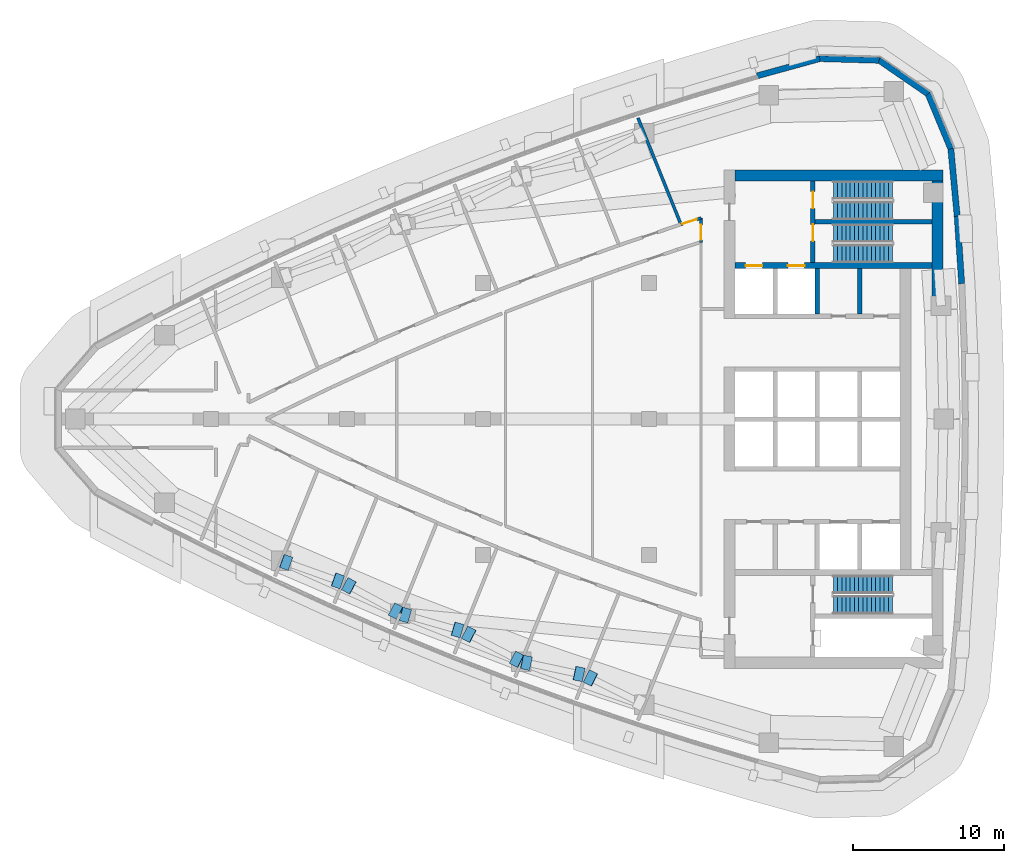
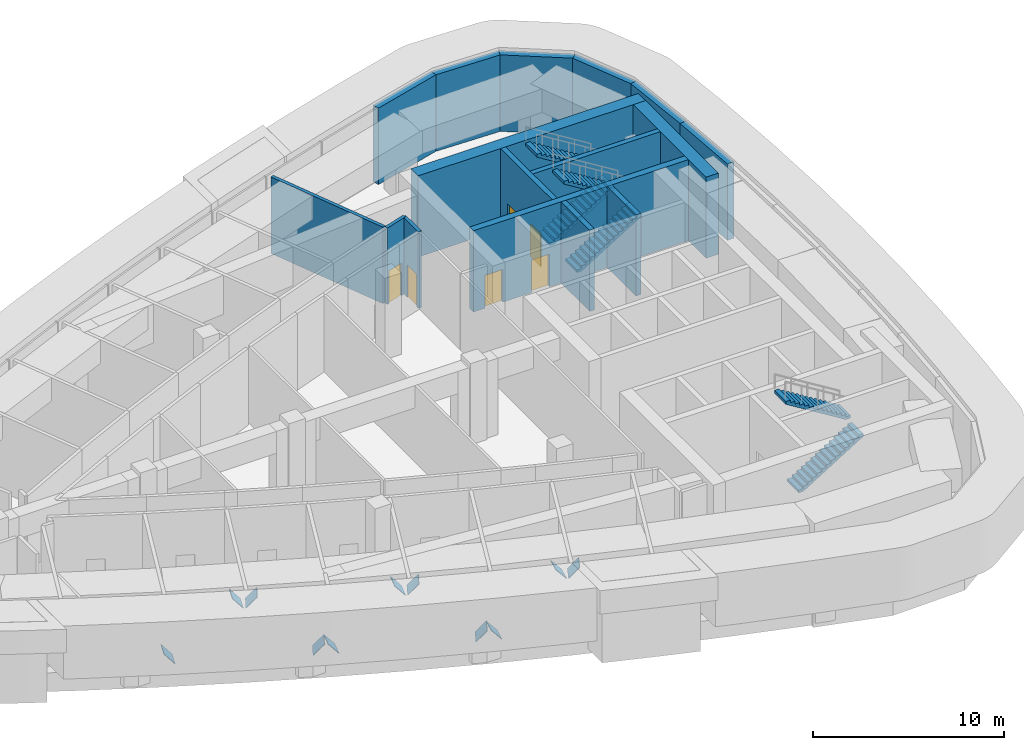
# One storey, part 12 of 17: 16 walls, 11 discrete accessories, 6 doors, 6 stair flights, 6 openings, 3 elements without a shape of their own.
"""IFC4 building model written with IfcOpenShell, lengths in metres."""

from ifc_helpers import new_model, si_unit, direction, frame, frame_2d, origin, origin_2d, place, context, subcontext, project, spatial, polyline, rectangle, outline, extrude, material, layer, layer_set, material_profile, profile_set, type_object, element, fill, aggregate, save


model = new_model("IFC4")

# Units and contexts
model_context = context("Model", 3, precision=1e-05, world=origin(), true_north=direction((0.0, 1.0)))
body_context = subcontext(model_context, "Body", "Model", "MODEL_VIEW")
ifc_project = project(units=[si_unit("LENGTHUNIT", "METRE"), si_unit("AREAUNIT", "SQUARE_METRE"), si_unit("VOLUMEUNIT", "CUBIC_METRE"), si_unit("PLANEANGLEUNIT", "RADIAN"), si_unit("MASSUNIT", "GRAM", prefix="KILO")], contexts=[model_context])

# Site, building, storey
site_placement = place(None, origin())
site = spatial("IfcSite", under=ifc_project, at=site_placement, CompositionType="ELEMENT")
building_placement = place(site_placement, origin())
building = spatial("IfcBuilding", under=site, at=building_placement, Name="Ostrand Prow Hotel Tower", CompositionType="ELEMENT")
storey_placement = place(building_placement, frame((0.0, 0.0, 211.0)))
storey = spatial("IfcBuildingStorey", under=building, at=storey_placement, Name="L53", CompositionType="ELEMENT", Elevation=211.0)

# Walls
ifc_material_1 = material(Name="Concrete C60/75", Category="concrete")
ifc_layer_1 = layer(ifc_material_1, 0.300048828125)
ifc_layer_set_1 = layer_set([ifc_layer_1], Name="Concrete C60/75")
wall_type_1 = type_object("IfcWallType", Name="Core wall 300 C60/75", PredefinedType="SHEAR", material=ifc_layer_set_1)
for number, where, z_axis, x_axis, name in (
    (1, (56.14990234375, 6.949951171875, 0.0), (0.0, 0.0, 1.0), (0.0, 1.0, 0.0), "Core wall PW-R2-NA"),
    (2, (58.949951171875, 6.949951171875, 0.0), (0.0, 0.0, 1.0), (0.0, 1.0, 0.0), "Core wall PW-R3-NA"),
):
    element("IfcWall", number, at=place(storey_placement, frame(where, z_axis=z_axis, x_axis=x_axis)), inside=storey, type_object=wall_type_1, Name=name, PredefinedType="SHEAR", context=body_context, shape_type="SweptSolid", body=[
        extrude(rectangle(XDim=3.0, YDim=0.300048828125, at=frame_2d((1.5, 0.0))), origin(), (0.0, 0.0, 1.0), 5.199951171875),
    ])

# Wall, openings, doors
wall_1_placement = place(storey_placement, frame((55.85009765625, 10.35009765625, 0.0), z_axis=(0.0, 0.0, 1.0), x_axis=(0.0, 1.0, 0.0)))
wall_1 = element("IfcWall", 3, at=wall_1_placement, inside=storey, type_object=wall_type_1, Name="Core wall PW-VN", PredefinedType="SHEAR", context=body_context, shape_type="SweptSolid", body=[
    extrude(rectangle(XDim=5.39990234375, YDim=0.300048828125, at=frame_2d((2.699951171875, 0.0))), origin(), (0.0, 0.0, 1.0), 5.199951171875),
])
opening_1_placement = place(wall_1_placement, frame((1.429931640625, 0.0, 0.0)))
opening_1 = element("IfcOpeningElement", 4, at=opening_1_placement, cuts=wall_1, Name="Opening FD1", PredefinedType="OPENING", context=body_context, shape_type="SweptSolid", body=[
    extrude(rectangle(XDim=1.10009765625, YDim=2.10009765625, at=frame_2d((0.550048828125, 1.050048828125))), frame((0.0, 0.159912109375, 0.0), z_axis=(0.0, -1.0, 0.0), x_axis=(1.0, 0.0, 0.0)), (0.0, 0.0, 1.0), 0.320068359375),
])
opening_2_placement = place(wall_1_placement, frame((3.60009765625, 0.0, 0.0)))
opening_2 = element("IfcOpeningElement", 5, at=opening_2_placement, cuts=wall_1, Name="Opening FD1", PredefinedType="OPENING", context=body_context, shape_type="SweptSolid", body=[
    extrude(rectangle(XDim=1.10009765625, YDim=2.10009765625, at=frame_2d((0.550048828125, 1.050048828125))), frame((0.0, 0.159912109375, 0.0), z_axis=(0.0, -1.0, 0.0), x_axis=(1.0, 0.0, 0.0)), (0.0, 0.0, 1.0), 0.320068359375),
])
ifc_material_2 = material(Name="Steel fire door", Category="steel")
door_type_1 = type_object("IfcDoorType", Name="Fire door 1100 EI120", OperationType="SINGLE_SWING_RIGHT", PredefinedType="DOOR", material=ifc_material_2)
door_1_placement = place(opening_1_placement, origin())
door_1 = element("IfcDoor", 6, at=door_1_placement, inside=storey, type_object=door_type_1, Name="FIRE DOOR", OperationType="SINGLE_SWING_RIGHT", OverallHeight=2.10009765625, OverallWidth=1.10009765625, PredefinedType="DOOR", context=body_context, shape_type="SweptSolid", body=[
    extrude(rectangle(XDim=1.10009765625, YDim=2.10009765625, at=frame_2d((0.550048828125, 1.050048828125))), frame((0.0, 0.02490234375, 0.0), z_axis=(0.0, -1.0, 0.0), x_axis=(1.0, 0.0, 0.0)), (0.0, 0.0, 1.0), 0.050048828125),
])
fill(opening_1, door_1)
door_2_placement = place(opening_2_placement, origin())
door_2 = element("IfcDoor", 7, at=door_2_placement, inside=storey, type_object=door_type_1, Name="FIRE DOOR", OperationType="SINGLE_SWING_RIGHT", OverallHeight=2.10009765625, OverallWidth=1.10009765625, PredefinedType="DOOR", context=body_context, shape_type="SweptSolid", body=[
    extrude(rectangle(XDim=1.10009765625, YDim=2.10009765625, at=frame_2d((0.550048828125, 1.050048828125))), frame((0.0, 0.02490234375, 0.0), z_axis=(0.0, -1.0, 0.0), x_axis=(1.0, 0.0, 0.0)), (0.0, 0.0, 1.0), 0.050048828125),
])
fill(opening_2, door_2)

# Wall
wall_2_placement = place(storey_placement, frame((56.0, 13.050048828125, 0.0), z_axis=(0.0, 0.0, 1.0), x_axis=(1.0, 0.0, 0.0)))
element("IfcWall", 8, at=wall_2_placement, inside=storey, type_object=wall_type_1, Name="Core wall PW-ST13", PredefinedType="SHEAR", context=body_context, shape_type="SweptSolid", body=[
    extrude(rectangle(XDim=7.719970703125, YDim=0.300048828125, at=frame_2d((3.85986328125, 0.0))), origin(), (0.0, 0.0, 1.0), 5.199951171875),
])

# Wall, openings, doors
ifc_material_3 = material(Name="Concrete C60/75", Category="concrete")
ifc_layer_2 = layer(ifc_material_3, 0.39990234375)
ifc_layer_set_2 = layer_set([ifc_layer_2], Name="Concrete C60/75")
wall_type_2 = type_object("IfcWallType", Name="Core wall 400 C60/75", PredefinedType="SHEAR", material=ifc_layer_set_2)
wall_3_placement = place(storey_placement, frame((50.699951171875, 10.14990234375, 0.0), z_axis=(0.0, 0.0, 1.0), x_axis=(1.0, 0.0, 0.0)))
wall_3 = element("IfcWall", 9, at=wall_3_placement, inside=storey, type_object=wall_type_2, Name="Core wall PW-BN", PredefinedType="SHEAR", context=body_context, shape_type="SweptSolid", body=[
    extrude(rectangle(XDim=13.02001953125, YDim=0.39990234375, at=frame_2d((6.510009765625, 0.0))), origin(), (0.0, 0.0, 1.0), 5.199951171875),
])
opening_3_placement = place(wall_3_placement, frame((0.699951171875, 0.0, 0.0)))
opening_3 = element("IfcOpeningElement", 10, at=opening_3_placement, cuts=wall_3, Name="Opening LD", PredefinedType="OPENING", context=body_context, shape_type="SweptSolid", body=[
    extrude(rectangle(XDim=1.10009765625, YDim=2.10009765625, at=frame_2d((0.550048828125, 1.050048828125))), frame((0.0, 0.2099609375, 0.0), z_axis=(0.0, -1.0, 0.0), x_axis=(1.0, 0.0, 0.0)), (0.0, 0.0, 1.0), 0.419921875),
])
opening_4_placement = place(wall_3_placement, frame((3.5, 0.0, 0.0)))
opening_4 = element("IfcOpeningElement", 11, at=opening_4_placement, cuts=wall_3, Name="Opening LD", PredefinedType="OPENING", context=body_context, shape_type="SweptSolid", body=[
    extrude(rectangle(XDim=1.10009765625, YDim=2.10009765625, at=frame_2d((0.550048828125, 1.050048828125))), frame((0.0, 0.2099609375, 0.0), z_axis=(0.0, -1.0, 0.0), x_axis=(1.0, 0.0, 0.0)), (0.0, 0.0, 1.0), 0.419921875),
])
ifc_material_4 = material(Name="Stainless steel door", Category="steel")
door_type_2 = type_object("IfcDoorType", Name="Lift landing door 1100", OperationType="DOUBLE_DOOR_SLIDING", PredefinedType="DOOR", material=ifc_material_4)
door_3_placement = place(opening_3_placement, origin())
door_3 = element("IfcDoor", 12, at=door_3_placement, inside=storey, type_object=door_type_2, Name="LIFT LANDING DOOR", OperationType="DOUBLE_DOOR_SLIDING", OverallHeight=2.10009765625, OverallWidth=1.10009765625, PredefinedType="DOOR", context=body_context, shape_type="SweptSolid", body=[
    extrude(rectangle(XDim=1.10009765625, YDim=2.10009765625, at=frame_2d((0.550048828125, 1.050048828125))), frame((0.0, 0.02490234375, 0.0), z_axis=(0.0, -1.0, 0.0), x_axis=(1.0, 0.0, 0.0)), (0.0, 0.0, 1.0), 0.050048828125),
])
fill(opening_3, door_3)
door_4_placement = place(opening_4_placement, origin())
door_4 = element("IfcDoor", 13, at=door_4_placement, inside=storey, type_object=door_type_2, Name="LIFT LANDING DOOR", OperationType="DOUBLE_DOOR_SLIDING", OverallHeight=2.10009765625, OverallWidth=1.10009765625, PredefinedType="DOOR", context=body_context, shape_type="SweptSolid", body=[
    extrude(rectangle(XDim=1.10009765625, YDim=2.10009765625, at=frame_2d((0.550048828125, 1.050048828125))), frame((0.0, 0.02490234375, 0.0), z_axis=(0.0, -1.0, 0.0), x_axis=(1.0, 0.0, 0.0)), (0.0, 0.0, 1.0), 0.050048828125),
])
fill(opening_4, door_4)

# Walls
ifc_material_5 = material(Name="Concrete C60/75", Category="concrete")
ifc_layer_3 = layer(ifc_material_5, 0.75)
ifc_layer_set_3 = layer_set([ifc_layer_3], Name="Concrete C60/75")
wall_type_3 = type_object("IfcWallType", Name="Core wall 750 C60/75", PredefinedType="SHEAR", material=ifc_layer_set_3)
wall_4_placement = place(storey_placement, frame((50.699951171875, 16.125, 0.0), z_axis=(0.0, 0.0, 1.0), x_axis=(1.0, 0.0, 0.0)))
element("IfcWall", 14, at=wall_4_placement, inside=storey, type_object=wall_type_3, Name="Core wall CW-N", PredefinedType="SHEAR", context=body_context, shape_type="SweptSolid", body=[
    extrude(rectangle(XDim=13.77001953125, YDim=0.75, at=frame_2d((6.885009765625, 0.0))), origin(), (0.0, 0.0, 1.0), 5.199951171875),
])
wall_5_placement = place(storey_placement, frame((64.094970703125, 8.09912109375, 0.0), z_axis=(0.0, 0.0, 1.0), x_axis=(0.0, 1.0, 0.0)))
element("IfcWall", 15, at=wall_5_placement, inside=storey, type_object=wall_type_3, Name="Core wall CW-E-N", PredefinedType="SHEAR", context=body_context, shape_type="SweptSolid", body=[
    extrude(rectangle(XDim=7.65087890625, YDim=0.75, at=frame_2d((3.825439453125, 0.0))), origin(), (0.0, 0.0, 1.0), 5.199951171875),
])

# Wall, opening, door
ifc_material_6 = material(Name="Plasterboard partition")
ifc_layer_4 = layer(ifc_material_6, 0.199951171875)
ifc_layer_set_4 = layer_set([ifc_layer_4], Name="Plasterboard partition")
wall_type_4 = type_object("IfcWallType", Name="Partition 200 corridor wall", PredefinedType="PARTITIONING", material=ifc_layer_set_4)
wall_6_placement = place(storey_placement, frame((48.449951171875, 13.312255859375, 0.0), z_axis=(0.0, 0.0, 1.0), x_axis=(-0.952726748605, -0.303828475446, 0.0)))
wall_6 = element("IfcWall", 16, at=wall_6_placement, inside=storey, type_object=wall_type_4, Name="CORRIDOR WALL", PredefinedType="PARTITIONING", context=body_context, shape_type="SweptSolid", body=[
    extrude(rectangle(XDim=1.403076171875, YDim=0.199951171875, at=frame_2d((0.70166015625, 0.0))), origin(), (0.0, 0.0, 1.0), 4.89990234375),
])
opening_5_placement = place(wall_6_placement, frame((0.300048828125, 0.0, 0.0)))
opening_5 = element("IfcOpeningElement", 17, at=opening_5_placement, cuts=wall_6, Name="Opening D1R", PredefinedType="OPENING", context=body_context, shape_type="SweptSolid", body=[
    extrude(rectangle(XDim=1.0, YDim=2.10009765625, at=frame_2d((0.5, 1.050048828125))), frame((0.0, 0.10986328125, 0.0), z_axis=(0.0, -1.0, 0.0), x_axis=(1.0, 0.0, 0.0)), (0.0, 0.0, 1.0), 0.219970703125),
])
ifc_material_7 = material(Name="Timber door leaf", Category="wood")
door_type_3 = type_object("IfcDoorType", Name="Guest room door 1000 right", OperationType="SINGLE_SWING_RIGHT", PredefinedType="DOOR", material=ifc_material_7)
door_5_placement = place(opening_5_placement, origin())
door_5 = element("IfcDoor", 18, at=door_5_placement, inside=storey, type_object=door_type_3, Name="DOOR", OperationType="SINGLE_SWING_RIGHT", OverallHeight=2.10009765625, OverallWidth=1.0, PredefinedType="DOOR", context=body_context, shape_type="SweptSolid", body=[
    extrude(rectangle(XDim=1.0, YDim=2.10009765625, at=frame_2d((0.5, 1.050048828125))), frame((0.0, 0.02490234375, 0.0), z_axis=(0.0, -1.0, 0.0), x_axis=(1.0, 0.0, 0.0)), (0.0, 0.0, 1.0), 0.050048828125),
])
fill(opening_5, door_5)

wall_7_placement = place(storey_placement, frame((48.449951171875, 11.685302734375, 0.0), z_axis=(0.0, 0.0, 1.0), x_axis=(0.0, 1.0, 0.0)))
wall_7 = element("IfcWall", 19, at=wall_7_placement, inside=storey, type_object=wall_type_4, Name="CORRIDOR WALL", PredefinedType="PARTITIONING", context=body_context, shape_type="SweptSolid", body=[
    extrude(rectangle(XDim=1.635986328125, YDim=0.199951171875, at=frame_2d((0.81787109375, 0.0))), origin(), (0.0, 0.0, 1.0), 4.89990234375),
])
opening_6_placement = place(wall_7_placement, frame((0.16796875, 0.0, 0.0)))
opening_6 = element("IfcOpeningElement", 20, at=opening_6_placement, cuts=wall_7, Name="Opening D1", PredefinedType="OPENING", context=body_context, shape_type="SweptSolid", body=[
    extrude(rectangle(XDim=1.0, YDim=2.10009765625, at=frame_2d((0.5, 1.050048828125))), frame((0.0, 0.10986328125, 0.0), z_axis=(0.0, -1.0, 0.0), x_axis=(1.0, 0.0, 0.0)), (0.0, 0.0, 1.0), 0.219970703125),
])
ifc_material_8 = material(Name="Timber door leaf", Category="wood")
door_type_4 = type_object("IfcDoorType", Name="Guest room door 1000", OperationType="SINGLE_SWING_LEFT", PredefinedType="DOOR", material=ifc_material_8)
door_6_placement = place(opening_6_placement, origin())
door_6 = element("IfcDoor", 21, at=door_6_placement, inside=storey, type_object=door_type_4, Name="DOOR", OperationType="SINGLE_SWING_LEFT", OverallHeight=2.10009765625, OverallWidth=1.0, PredefinedType="DOOR", context=body_context, shape_type="SweptSolid", body=[
    extrude(rectangle(XDim=1.0, YDim=2.10009765625, at=frame_2d((0.5, 1.050048828125))), frame((0.0, 0.02490234375, 0.0), z_axis=(0.0, -1.0, 0.0), x_axis=(1.0, 0.0, 0.0)), (0.0, 0.0, 1.0), 0.050048828125),
])
fill(opening_6, door_6)

# Walls
ifc_material_9 = material(Name="Plasterboard partition")
ifc_layer_5 = layer(ifc_material_9, 0.199951171875)
ifc_layer_set_5 = layer_set([ifc_layer_5], Name="Plasterboard partition")
wall_type_5 = type_object("IfcWallType", Name="Partition 200 key partition", PredefinedType="PARTITIONING", material=ifc_layer_set_5)
wall_8_placement = place(storey_placement, frame((47.06103515625, 13.015869140625, 0.0), z_axis=(0.0, 0.0, 1.0), x_axis=(-0.373911135836, 0.927464534361, 0.0)))
element("IfcWall", 22, at=wall_8_placement, inside=storey, type_object=wall_type_5, Name="KEY PARTITION", PredefinedType="PARTITIONING", context=body_context, shape_type="SweptSolid", body=[
    extrude(rectangle(XDim=7.461181640625, YDim=0.199951171875, at=frame_2d((3.73046875, 0.0))), origin(), (0.0, 0.0, 1.0), 4.89990234375),
])
ifc_material_10 = material(Name="Precast concrete C40/50", Category="concrete")
ifc_layer_6 = layer(ifc_material_10, 0.39990234375)
ifc_layer_set_6 = layer_set([ifc_layer_6], Name="Precast concrete C40/50")
wall_type_6 = type_object("IfcWallType", Name="Stone-faced precast wall 400 mm", PredefinedType="NOTDEFINED", material=ifc_layer_set_6)
wall_9_placement = place(storey_placement, frame((65.700439453125, 8.957763671875, 0.0), z_axis=(0.0, 0.0, 1.0), x_axis=(-0.066905935948, 0.997759287471, 0.0)))
element("IfcWall", 23, at=wall_9_placement, inside=storey, type_object=wall_type_6, Name="Stone-faced wall back 11", PredefinedType="NOTDEFINED", context=body_context, shape_type="SweptSolid", body=[
    extrude(outline(polyline([(-0.002685546875, -0.199951171875), (4.483642578125, -0.199951171875), (4.478271484375, 0.199951171875), (0.002685546875, 0.199951171875), (-0.002685546875, -0.199951171875)])), origin(), (0.0, 0.0, 1.0), 4.89990234375),
])
wall_10_placement = place(storey_placement, frame((65.400634765625, 13.4287109375, 0.0), z_axis=(0.0, 0.0, 1.0), x_axis=(-0.093605694738, 0.995609348044, 0.0)))
element("IfcWall", 24, at=wall_10_placement, inside=storey, type_object=wall_type_6, Name="Stone-faced wall back 12", PredefinedType="NOTDEFINED", context=body_context, shape_type="SweptSolid", body=[
    extrude(outline(polyline([(-0.002685546875, -0.199951171875), (4.51123046875, -0.199951171875), (4.45068359375, 0.199951171875), (0.002685546875, 0.199951171875), (-0.002685546875, -0.199951171875)])), origin(), (0.0, 0.0, 1.0), 4.89990234375),
])
wall_11_placement = place(storey_placement, frame((64.981201171875, 17.889892578125, 0.0), z_axis=(0.0, 0.0, 1.0), x_axis=(-0.383997619794, 0.923334082547, 0.0)))
element("IfcWall", 25, at=wall_11_placement, inside=storey, type_object=wall_type_6, Name="Stone-faced wall back 13", PredefinedType="NOTDEFINED", context=body_context, shape_type="SweptSolid", body=[
    extrude(outline(polyline([(-0.0302734375, -0.199951171875), (3.98828125, -0.199951171875), (3.8701171875, 0.199951171875), (0.0302734375, 0.199951171875), (-0.0302734375, -0.199951171875)])), origin(), (0.0, 0.0, 1.0), 4.89990234375),
])
wall_12_placement = place(storey_placement, frame((63.472412109375, 21.517822265625, 0.0), z_axis=(0.0, 0.0, 1.0), x_axis=(-0.823806162588, 0.566871596115, 0.0)))
element("IfcWall", 26, at=wall_12_placement, inside=storey, type_object=wall_type_6, Name="Stone-faced wall back 14", PredefinedType="NOTDEFINED", context=body_context, shape_type="SweptSolid", body=[
    extrude(outline(polyline([(-0.05908203125, -0.199951171875), (3.98828125, -0.199951171875), (3.8701171875, 0.199951171875), (0.05908203125, 0.199951171875), (-0.05908203125, -0.199951171875)])), origin(), (0.0, 0.0, 1.0), 4.89990234375),
])
wall_13_placement = place(storey_placement, frame((60.235595703125, 23.7451171875, 0.0), z_axis=(0.0, 0.0, 1.0), x_axis=(-0.999587920197, 0.028705222472, 0.0)))
element("IfcWall", 27, at=wall_13_placement, inside=storey, type_object=wall_type_6, Name="Stone-faced wall back 15", PredefinedType="NOTDEFINED", context=body_context, shape_type="SweptSolid", body=[
    extrude(outline(polyline([(-0.05908203125, -0.199951171875), (3.959228515625, -0.199951171875), (3.899658203125, 0.199951171875), (0.05908203125, 0.199951171875), (-0.05908203125, -0.199951171875)])), origin(), (0.0, 0.0, 1.0), 4.89990234375),
])
wall_14_placement = place(storey_placement, frame((56.307861328125, 23.85791015625, 0.0), z_axis=(0.0, 0.0, 1.0), x_axis=(-0.964205755089, -0.265155165617, 0.0)))
element("IfcWall", 28, at=wall_14_placement, inside=storey, type_object=wall_type_6, Name="Stone-faced wall back 16", PredefinedType="NOTDEFINED", context=body_context, shape_type="SweptSolid", body=[
    extrude(outline(polyline([(-0.02978515625, -0.199951171875), (4.30712890625, -0.199951171875), (4.30712890625, 0.199951171875), (0.02978515625, 0.199951171875), (-0.02978515625, -0.199951171875)])), origin(), (0.0, 0.0, 1.0), 4.89990234375),
])

# Stair, stair flights
ifc_material_11 = material(Name="Concrete C40/50", Category="concrete")
stair_type = type_object("IfcStairType", Name="Exit stair 1200 upper zone", PredefinedType="HALF_TURN_STAIR", material=ifc_material_11)
stair_1_placement = place(storey_placement, origin())
stair_1 = element("IfcStair", 29, at=stair_1_placement, inside=storey, type_object=stair_type, Name="L53 ST1C", PredefinedType="HALF_TURN_STAIR")
ifc_material_12 = material(Name="Concrete C40/50", Category="concrete")
stair_flight_type = type_object("IfcStairFlightType", Name="Stair flight 1200 concrete", PredefinedType="STRAIGHT", material=ifc_material_12)
stair_flight_1_placement = place(storey_placement, frame((57.199951171875, 10.949951171875, 0.0), z_axis=(0.0, 0.0, 1.0), x_axis=(1.0, 0.0, 0.0)))
stair_flight_1 = element("IfcStairFlight", 30, at=stair_flight_1_placement, type_object=stair_flight_type, Name="ST1C flight 1", NumberOfRisers=15, NumberOfTreads=14, PredefinedType="STRAIGHT", RiserHeight=0.173333333, TreadLength=0.28, context=body_context, shape_type="SweptSolid", body=[
    extrude(outline(polyline([(0.0, 0.0), (0.0, 0.17333984375), (0.280029296875, 0.17333984375), (0.280029296875, 0.3466796875), (0.56005859375, 0.3466796875), (0.56005859375, 0.52001953125), (0.840087890625, 0.52001953125), (0.840087890625, 0.693359375), (1.1201171875, 0.693359375), (1.1201171875, 0.86669921875), (1.39990234375, 0.86669921875), (1.39990234375, 1.0400390625), (1.679931640625, 1.0400390625), (1.679931640625, 1.21337890625), (1.9599609375, 1.21337890625), (1.9599609375, 1.38671875), (2.239990234375, 1.38671875), (2.239990234375, 1.56005859375), (2.52001953125, 1.56005859375), (2.52001953125, 1.7333984375), (2.800048828125, 1.7333984375), (2.800048828125, 1.90673828125), (3.080078125, 1.90673828125), (3.080078125, 2.080078125), (3.360107421875, 2.080078125), (3.360107421875, 2.25341796875), (3.639892578125, 2.25341796875), (3.639892578125, 2.4267578125), (3.919921875, 2.4267578125), (3.919921875, 2.60009765625), (3.919921875, 2.250244140625), (0.284912109375, 0.0), (0.0, 0.0)])), frame((0.0, 0.60009765625, 0.0), z_axis=(0.0, -1.0, 0.0), x_axis=(1.0, 0.0, 0.0)), (0.0, 0.0, 1.0), 1.199951171875),
])
stair_flight_2_placement = place(storey_placement, frame((61.1201171875, 12.300048828125, 2.60009765625), z_axis=(0.0, 0.0, 1.0), x_axis=(-1.0, 0.0, 0.0)))
stair_flight_2 = element("IfcStairFlight", 31, at=stair_flight_2_placement, type_object=stair_flight_type, Name="ST1C flight 2", NumberOfRisers=15, NumberOfTreads=14, PredefinedType="STRAIGHT", RiserHeight=0.173333333, TreadLength=0.28, context=body_context, shape_type="SweptSolid", body=[
    extrude(outline(polyline([(0.0, 0.0), (0.0, 0.17333984375), (0.280029296875, 0.17333984375), (0.280029296875, 0.3466796875), (0.56005859375, 0.3466796875), (0.56005859375, 0.52001953125), (0.840087890625, 0.52001953125), (0.840087890625, 0.693359375), (1.1201171875, 0.693359375), (1.1201171875, 0.86669921875), (1.39990234375, 0.86669921875), (1.39990234375, 1.0400390625), (1.679931640625, 1.0400390625), (1.679931640625, 1.21337890625), (1.9599609375, 1.21337890625), (1.9599609375, 1.38671875), (2.239990234375, 1.38671875), (2.239990234375, 1.56005859375), (2.52001953125, 1.56005859375), (2.52001953125, 1.7333984375), (2.800048828125, 1.7333984375), (2.800048828125, 1.90673828125), (3.080078125, 1.90673828125), (3.080078125, 2.080078125), (3.360107421875, 2.080078125), (3.360107421875, 2.25341796875), (3.639892578125, 2.25341796875), (3.639892578125, 2.4267578125), (3.919921875, 2.4267578125), (3.919921875, 2.60009765625), (3.919921875, 2.250244140625), (0.284912109375, 0.0), (0.0, 0.0)])), frame((0.0, 0.60009765625, 0.0), z_axis=(0.0, -1.0, 0.0), x_axis=(1.0, 0.0, 0.0)), (0.0, 0.0, 1.0), 1.199951171875),
])
aggregate(stair_1, [stair_flight_1, stair_flight_2])

stair_2_placement = place(storey_placement, origin())
stair_2 = element("IfcStair", 32, at=stair_2_placement, inside=storey, type_object=stair_type, Name="L53 ST3C", PredefinedType="HALF_TURN_STAIR")
stair_flight_3_placement = place(storey_placement, frame((57.199951171875, 13.800048828125, 0.0), z_axis=(0.0, 0.0, 1.0), x_axis=(1.0, 0.0, 0.0)))
stair_flight_3 = element("IfcStairFlight", 33, at=stair_flight_3_placement, type_object=stair_flight_type, Name="ST3C flight 1", NumberOfRisers=15, NumberOfTreads=14, PredefinedType="STRAIGHT", RiserHeight=0.173333333, TreadLength=0.28, context=body_context, shape_type="SweptSolid", body=[
    extrude(outline(polyline([(0.0, 0.0), (0.0, 0.17333984375), (0.280029296875, 0.17333984375), (0.280029296875, 0.3466796875), (0.56005859375, 0.3466796875), (0.56005859375, 0.52001953125), (0.840087890625, 0.52001953125), (0.840087890625, 0.693359375), (1.1201171875, 0.693359375), (1.1201171875, 0.86669921875), (1.39990234375, 0.86669921875), (1.39990234375, 1.0400390625), (1.679931640625, 1.0400390625), (1.679931640625, 1.21337890625), (1.9599609375, 1.21337890625), (1.9599609375, 1.38671875), (2.239990234375, 1.38671875), (2.239990234375, 1.56005859375), (2.52001953125, 1.56005859375), (2.52001953125, 1.7333984375), (2.800048828125, 1.7333984375), (2.800048828125, 1.90673828125), (3.080078125, 1.90673828125), (3.080078125, 2.080078125), (3.360107421875, 2.080078125), (3.360107421875, 2.25341796875), (3.639892578125, 2.25341796875), (3.639892578125, 2.4267578125), (3.919921875, 2.4267578125), (3.919921875, 2.60009765625), (3.919921875, 2.250244140625), (0.284912109375, 0.0), (0.0, 0.0)])), frame((0.0, 0.60009765625, 0.0), z_axis=(0.0, -1.0, 0.0), x_axis=(1.0, 0.0, 0.0)), (0.0, 0.0, 1.0), 1.199951171875),
])
stair_flight_4_placement = place(storey_placement, frame((61.1201171875, 15.14990234375, 2.60009765625), z_axis=(0.0, 0.0, 1.0), x_axis=(-1.0, 0.0, 0.0)))
stair_flight_4 = element("IfcStairFlight", 34, at=stair_flight_4_placement, type_object=stair_flight_type, Name="ST3C flight 2", NumberOfRisers=15, NumberOfTreads=14, PredefinedType="STRAIGHT", RiserHeight=0.173333333, TreadLength=0.28, context=body_context, shape_type="SweptSolid", body=[
    extrude(outline(polyline([(0.0, 0.0), (0.0, 0.17333984375), (0.280029296875, 0.17333984375), (0.280029296875, 0.3466796875), (0.56005859375, 0.3466796875), (0.56005859375, 0.52001953125), (0.840087890625, 0.52001953125), (0.840087890625, 0.693359375), (1.1201171875, 0.693359375), (1.1201171875, 0.86669921875), (1.39990234375, 0.86669921875), (1.39990234375, 1.0400390625), (1.679931640625, 1.0400390625), (1.679931640625, 1.21337890625), (1.9599609375, 1.21337890625), (1.9599609375, 1.38671875), (2.239990234375, 1.38671875), (2.239990234375, 1.56005859375), (2.52001953125, 1.56005859375), (2.52001953125, 1.7333984375), (2.800048828125, 1.7333984375), (2.800048828125, 1.90673828125), (3.080078125, 1.90673828125), (3.080078125, 2.080078125), (3.360107421875, 2.080078125), (3.360107421875, 2.25341796875), (3.639892578125, 2.25341796875), (3.639892578125, 2.4267578125), (3.919921875, 2.4267578125), (3.919921875, 2.60009765625), (3.919921875, 2.250244140625), (0.284912109375, 0.0), (0.0, 0.0)])), frame((0.0, 0.60009765625, 0.0), z_axis=(0.0, -1.0, 0.0), x_axis=(1.0, 0.0, 0.0)), (0.0, 0.0, 1.0), 1.199951171875),
])
aggregate(stair_2, [stair_flight_3, stair_flight_4])

stair_3_placement = place(storey_placement, origin())
stair_3 = element("IfcStair", 35, at=stair_3_placement, inside=storey, type_object=stair_type, Name="L53 ST2C", PredefinedType="HALF_TURN_STAIR")
stair_flight_5_placement = place(storey_placement, frame((57.199951171875, -12.300048828125, 0.0), z_axis=(0.0, 0.0, 1.0), x_axis=(1.0, 0.0, 0.0)))
stair_flight_5 = element("IfcStairFlight", 36, at=stair_flight_5_placement, type_object=stair_flight_type, Name="ST2C flight 1", NumberOfRisers=15, NumberOfTreads=14, PredefinedType="STRAIGHT", RiserHeight=0.173333333, TreadLength=0.28, context=body_context, shape_type="SweptSolid", body=[
    extrude(outline(polyline([(0.0, 0.0), (0.0, 0.17333984375), (0.280029296875, 0.17333984375), (0.280029296875, 0.3466796875), (0.56005859375, 0.3466796875), (0.56005859375, 0.52001953125), (0.840087890625, 0.52001953125), (0.840087890625, 0.693359375), (1.1201171875, 0.693359375), (1.1201171875, 0.86669921875), (1.39990234375, 0.86669921875), (1.39990234375, 1.0400390625), (1.679931640625, 1.0400390625), (1.679931640625, 1.21337890625), (1.9599609375, 1.21337890625), (1.9599609375, 1.38671875), (2.239990234375, 1.38671875), (2.239990234375, 1.56005859375), (2.52001953125, 1.56005859375), (2.52001953125, 1.7333984375), (2.800048828125, 1.7333984375), (2.800048828125, 1.90673828125), (3.080078125, 1.90673828125), (3.080078125, 2.080078125), (3.360107421875, 2.080078125), (3.360107421875, 2.25341796875), (3.639892578125, 2.25341796875), (3.639892578125, 2.4267578125), (3.919921875, 2.4267578125), (3.919921875, 2.60009765625), (3.919921875, 2.250244140625), (0.284912109375, 0.0), (0.0, 0.0)])), frame((0.0, 0.60009765625, 0.0), z_axis=(0.0, -1.0, 0.0), x_axis=(1.0, 0.0, 0.0)), (0.0, 0.0, 1.0), 1.199951171875),
])
stair_flight_6_placement = place(storey_placement, frame((61.1201171875, -10.949951171875, 2.60009765625), z_axis=(0.0, 0.0, 1.0), x_axis=(-1.0, 0.0, 0.0)))
stair_flight_6 = element("IfcStairFlight", 37, at=stair_flight_6_placement, type_object=stair_flight_type, Name="ST2C flight 2", NumberOfRisers=15, NumberOfTreads=14, PredefinedType="STRAIGHT", RiserHeight=0.173333333, TreadLength=0.28, context=body_context, shape_type="SweptSolid", body=[
    extrude(outline(polyline([(0.0, 0.0), (0.0, 0.17333984375), (0.280029296875, 0.17333984375), (0.280029296875, 0.3466796875), (0.56005859375, 0.3466796875), (0.56005859375, 0.52001953125), (0.840087890625, 0.52001953125), (0.840087890625, 0.693359375), (1.1201171875, 0.693359375), (1.1201171875, 0.86669921875), (1.39990234375, 0.86669921875), (1.39990234375, 1.0400390625), (1.679931640625, 1.0400390625), (1.679931640625, 1.21337890625), (1.9599609375, 1.21337890625), (1.9599609375, 1.38671875), (2.239990234375, 1.38671875), (2.239990234375, 1.56005859375), (2.52001953125, 1.56005859375), (2.52001953125, 1.7333984375), (2.800048828125, 1.7333984375), (2.800048828125, 1.90673828125), (3.080078125, 1.90673828125), (3.080078125, 2.080078125), (3.360107421875, 2.080078125), (3.360107421875, 2.25341796875), (3.639892578125, 2.25341796875), (3.639892578125, 2.4267578125), (3.919921875, 2.4267578125), (3.919921875, 2.60009765625), (3.919921875, 2.250244140625), (0.284912109375, 0.0), (0.0, 0.0)])), frame((0.0, 0.60009765625, 0.0), z_axis=(0.0, -1.0, 0.0), x_axis=(1.0, 0.0, 0.0)), (0.0, 0.0, 1.0), 1.199951171875),
])
aggregate(stair_3, [stair_flight_5, stair_flight_6])

# Discrete accessories
ifc_material_13 = material(Name="Steel S355", Category="steel")
ifc_material_profile = material_profile(ifc_material_13, rectangle(XDim=0.9169921875, YDim=0.9169921875, at=origin_2d()), Name="PL 917x917x35")
ifc_profile_set = profile_set([ifc_material_profile], Name="Steel S355")
discrete_accessory_type = type_object("IfcDiscreteAccessoryType", Name="Gusset plate 917x917x35 S355", PredefinedType="USERDEFINED", material=ifc_profile_set)
discrete_accessory_1_placement = place(storey_placement, frame((20.966552734375, -9.484130859375, 0.281005859375), z_axis=(0.717165171736, -0.257622440332, 0.647537485159), x_axis=(0.338072285558, 0.941120146282, 0.0)))
element("IfcDiscreteAccessory", 38, at=discrete_accessory_1_placement, inside=storey, type_object=discrete_accessory_type, Name="Gusset plate BR-01 foot", ObjectType="GUSSET PLATE", PredefinedType="USERDEFINED", context=body_context, shape_type="SweptSolid", body=[
    extrude(rectangle(XDim=0.9169921875, YDim=0.9169921875, at=origin_2d()), origin(), (0.0, 0.0, 1.0), 0.03515625),
])
for number, where, z_axis, x_axis, name in (
    (39, (24.389404296875, -10.7109375, 3.388671875), (0.718437592076, -0.251104401114, 0.648686369545), (0.329942150632, 0.944001153197, 0.0), "Gusset plate BR-01 head"),
    (40, (28.248779296875, -12.723876953125, 0.285888671875), (-0.664124596605, 0.356530046599, 0.657133811378), (-0.472993330314, -0.881066007447, 0.0), "Gusset plate BR-02 foot"),
):
    element("IfcDiscreteAccessory", number, at=place(storey_placement, frame(where, z_axis=z_axis, x_axis=x_axis)), inside=storey, type_object=discrete_accessory_type, Name=name, ObjectType="GUSSET PLATE", PredefinedType="USERDEFINED", context=body_context, shape_type="SweptSolid", body=[
        extrude(rectangle(XDim=0.9169921875, YDim=0.9169921875, at=origin_2d()), origin(), (0.0, 0.0, 1.0), 0.034912109375),
    ])
discrete_accessory_2_placement = place(storey_placement, frame((25.148681640625, -11.048583984375, 3.388427734375), z_axis=(-0.661078544057, 0.354894797336, 0.661078544057), x_axis=(-0.472993330314, -0.881066007447, 0.0)))
element("IfcDiscreteAccessory", 41, at=discrete_accessory_2_placement, inside=storey, type_object=discrete_accessory_type, Name="Gusset plate BR-02 head", ObjectType="GUSSET PLATE", PredefinedType="USERDEFINED", context=body_context, shape_type="SweptSolid", body=[
    extrude(rectangle(XDim=0.9169921875, YDim=0.9169921875, at=origin_2d()), origin(), (0.0, 0.0, 1.0), 0.03515625),
])
discrete_accessory_3_placement = place(storey_placement, frame((28.84912109375, -12.968017578125, 0.28271484375), z_axis=(0.729829054055, -0.203510024689, 0.652635596415), x_axis=(0.268599128776, 0.963252048023, 0.0)))
element("IfcDiscreteAccessory", 42, at=discrete_accessory_3_placement, inside=storey, type_object=discrete_accessory_type, Name="Gusset plate BR-03 foot", ObjectType="GUSSET PLATE", PredefinedType="USERDEFINED", context=body_context, shape_type="SweptSolid", body=[
    extrude(rectangle(XDim=0.9169921875, YDim=0.9169921875, at=origin_2d()), origin(), (0.0, 0.0, 1.0), 0.03466796875),
])
for number, where, z_axis, x_axis, name in (
    (43, (32.3095703125, -13.9541015625, 3.388671875), (0.728771083347, -0.210222427888, 0.651689526454), (0.277160651302, 0.960823591181, 0.0), "Gusset plate BR-03 head"),
    (44, (36.25732421875, -15.91015625, 0.283447265625), (-0.671263022133, 0.342623834214, 0.657278375839), (-0.454620573351, -0.890685204933, 0.0), "Gusset plate BR-04 foot"),
):
    element("IfcDiscreteAccessory", number, at=place(storey_placement, frame(where, z_axis=z_axis, x_axis=x_axis)), inside=storey, type_object=discrete_accessory_type, Name=name, ObjectType="GUSSET PLATE", PredefinedType="USERDEFINED", context=body_context, shape_type="SweptSolid", body=[
        extrude(rectangle(XDim=0.9169921875, YDim=0.9169921875, at=origin_2d()), origin(), (0.0, 0.0, 1.0), 0.034912109375),
    ])
for number, where, z_axis, x_axis, name in (
    (45, (33.081787109375, -14.260986328125, 3.388427734375), (-0.666586305685, 0.347180367544, 0.659642698334), (-0.461934418837, -0.886914084167, 0.0), "Gusset plate BR-04 head"),
    (46, (36.8662109375, -16.12890625, 0.283935546875), (0.738519070146, -0.1602447039, 0.654913137677), (0.212046871948, 0.977259496806, 0.0), "Gusset plate BR-05 foot"),
    (47, (40.354736328125, -16.873046875, 3.388427734375), (0.735154501076, -0.159514655894, 0.65886488304), (0.212046871948, 0.977259496806, 0.0), "Gusset plate BR-05 head"),
):
    element("IfcDiscreteAccessory", number, at=place(storey_placement, frame(where, z_axis=z_axis, x_axis=x_axis)), inside=storey, type_object=discrete_accessory_type, Name=name, ObjectType="GUSSET PLATE", PredefinedType="USERDEFINED", context=body_context, shape_type="SweptSolid", body=[
        extrude(rectangle(XDim=0.9169921875, YDim=0.9169921875, at=origin_2d()), origin(), (0.0, 0.0, 1.0), 0.03515625),
    ])
discrete_accessory_4_placement = place(storey_placement, frame((41.138916015625, -17.148193359375, 3.388671875), z_axis=(-0.683512100945, 0.334781437198, 0.648639034571), x_axis=(-0.43986744881, -0.898062707987, 0.0)))
element("IfcDiscreteAccessory", 48, at=discrete_accessory_4_placement, inside=storey, type_object=discrete_accessory_type, Name="Gusset plate BR-06 head", ObjectType="GUSSET PLATE", PredefinedType="USERDEFINED", context=body_context, shape_type="SweptSolid", body=[
    extrude(rectangle(XDim=0.9169921875, YDim=0.9169921875, at=origin_2d()), origin(), (0.0, 0.0, 1.0), 0.034912109375),
])

save(model, "model.ifc")
